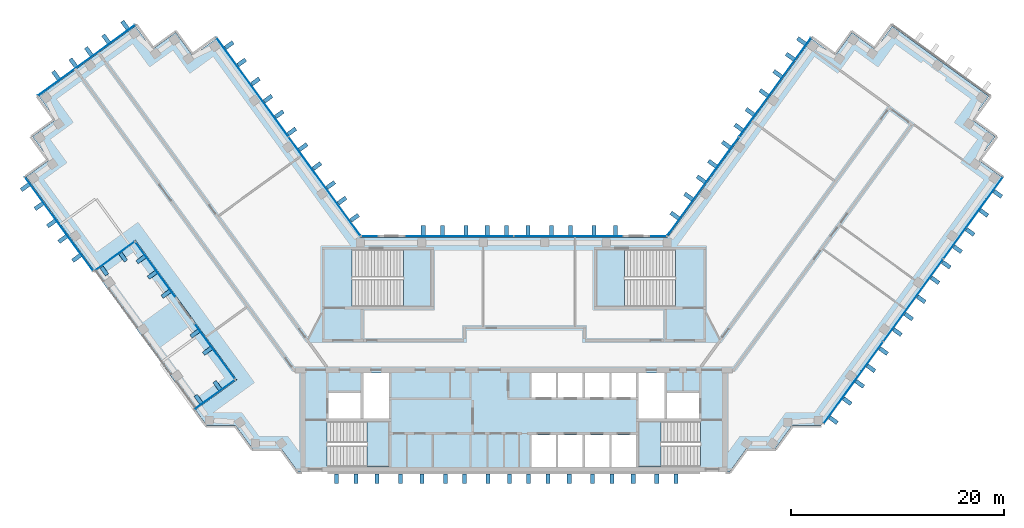
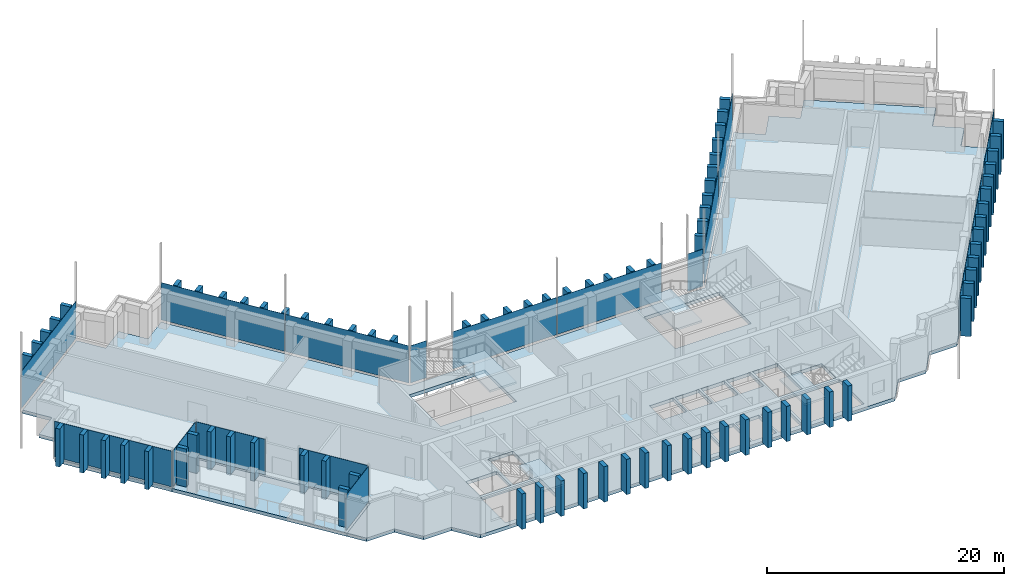
# One storey, part 6 of 15: 99 plates, 6 slabs, 16 elements without a shape of their own.
"""IFC4 building model written with IfcOpenShell, lengths in metres."""

import ifcopenshell
import ifcopenshell.guid

model = None  # the IFC model being written
_history = None  # IfcOwnerHistory: only IFC2X3 demands one
_inside = {}  # id of a spatial element -> (the spatial element, [elements in it])
_under = {}  # id of a project, library or spatial element -> (it, [spatial elements below it])
_declared = {}  # id of a project -> (the project, [libraries it declares])
_typed = {}  # id of a type object -> (the type object, [elements of that type])
_made_of = {}  # id of a material, layer set ... -> (it, [elements and type objects made of it])


def new_model(schema):
    """Start an empty IFC model of exactly this schema.

    Asked for "IFC4X3", IfcOpenShell would pick the latest addendum, in which some entities
    have other attributes; the version numbers below select the first issue.
    IFC2X3 requires an IfcOwnerHistory on every rooted entity: one is made here for all.
    """
    global model, _history
    if schema == "IFC4X3":
        model = ifcopenshell.file(schema_version=(4, 3, 0, 0))
    else:
        model = ifcopenshell.file(schema=schema)
    _inside.clear()
    _under.clear()
    _declared.clear()
    _typed.clear()
    _made_of.clear()
    _history = None
    if model.schema == "IFC2X3":
        org = make("IfcOrganization", Name="unknown")
        user = make(
            "IfcPersonAndOrganization",
            ThePerson=make("IfcPerson", FamilyName="unknown"),
            TheOrganization=org,
        )
        app = make(
            "IfcApplication",
            ApplicationDeveloper=org,
            Version="unknown",
            ApplicationFullName="unknown",
            ApplicationIdentifier="unknown",
        )
        _history = make(
            "IfcOwnerHistory",
            OwningUser=user,
            OwningApplication=app,
            ChangeAction="ADDED",
            CreationDate=0,
        )
    return model


def make(cls, **values):
    """One entity of the class cls with the attributes given. An attribute that is None is left unset."""
    return model.create_entity(
        cls, **{name: value for name, value in values.items() if value is not None}
    )


def rooted(cls, **values):
    """An entity with a GlobalId (a new one), such as an element, a storey or a relation."""
    return make(cls, GlobalId=ifcopenshell.guid.new(), OwnerHistory=_history, **values)


def si_unit(unit_type, name, prefix=None):
    """IfcSIUnit, for example si_unit("LENGTHUNIT", "METRE", prefix="MILLI")."""
    return make("IfcSIUnit", UnitType=unit_type, Prefix=prefix, Name=name)


def assignment(units):
    """IfcUnitAssignment: the units of a project."""
    return None if units is None else make("IfcUnitAssignment", Units=units)


def point(xyz):
    """IfcCartesianPoint."""
    return None if xyz is None else make("IfcCartesianPoint", Coordinates=xyz)


def direction(xyz):
    """IfcDirection."""
    return None if xyz is None else make("IfcDirection", DirectionRatios=xyz)


def frame(location, z_axis=None, x_axis=None):
    """IfcAxis2Placement3D, a coordinate frame: its origin and axes. An axis left out is left unset."""
    return make(
        "IfcAxis2Placement3D",
        Location=point(location),
        Axis=direction(z_axis),
        RefDirection=direction(x_axis),
    )


def frame_2d(location, x_axis=None):
    """IfcAxis2Placement2D, a coordinate frame in the plane: its origin and x axis."""
    return make(
        "IfcAxis2Placement2D", Location=point(location), RefDirection=direction(x_axis)
    )


def origin():
    """The frame at (0, 0, 0) with its axes left unset."""
    return frame((0.0, 0.0, 0.0))


def origin_2d():
    """The frame at (0, 0) in the plane with its x axis left unset."""
    return frame_2d((0.0, 0.0))


def place(relative_to, where):
    """IfcLocalPlacement: puts the frame where relative to a parent placement (None: the world)."""
    return make(
        "IfcLocalPlacement", PlacementRelTo=relative_to, RelativePlacement=where
    )


def context(
    kind, dimensions, precision=None, world=None, true_north=None, identifier=None
):
    """IfcGeometricRepresentationContext, for example the 3D "Model" context."""
    return make(
        "IfcGeometricRepresentationContext",
        ContextIdentifier=identifier,
        ContextType=kind,
        CoordinateSpaceDimension=dimensions,
        Precision=precision,
        WorldCoordinateSystem=world,
        TrueNorth=true_north,
    )


def subcontext(parent, identifier, kind, view, scale=None):
    """IfcGeometricRepresentationSubContext, for example "Body" below "Model"."""
    return make(
        "IfcGeometricRepresentationSubContext",
        ContextIdentifier=identifier,
        ContextType=kind,
        ParentContext=parent,
        TargetScale=scale,
        TargetView=view,
    )


def project(units=None, contexts=None):
    """IfcProject with its units and contexts."""
    return rooted(
        "IfcProject",
        Name="project",
        RepresentationContexts=contexts,
        UnitsInContext=assignment(units),
    )


def spatial(cls, under=None, at=None, **own):
    """A site, building, storey or space (cls), placed at a placement, below another one or the project."""
    s = rooted(cls, ObjectPlacement=at, **own)
    if under is not None:
        _under.setdefault(under.id(), (under, []))[1].append(s)
    return s


def polyline(points):
    """IfcPolyline through the points."""
    return make("IfcPolyline", Points=[point(p) for p in points])


def profile(cls, at=None, kind="AREA", **sizes):
    """A parametric profile (cls). Its sizes go by their IFC names, for example OverallWidth=200.0."""
    return make(cls, ProfileType=kind, Position=at, **sizes)


def rectangle(**sizes):
    """IfcRectangleProfileDef."""
    return profile("IfcRectangleProfileDef", **sizes)


def outline(outer, holes=None, kind="AREA"):
    """IfcArbitraryClosedProfileDef: a profile drawn as a closed curve; with holes, ...WithVoids."""
    if holes is None:
        return make("IfcArbitraryClosedProfileDef", ProfileType=kind, OuterCurve=outer)
    return make(
        "IfcArbitraryProfileDefWithVoids",
        ProfileType=kind,
        OuterCurve=outer,
        InnerCurves=holes,
    )


def extrude(swept, where, along, depth):
    """IfcExtrudedAreaSolid: the profile swept, set in the frame where, extruded along a direction by depth."""
    return make(
        "IfcExtrudedAreaSolid",
        SweptArea=swept,
        Position=where,
        ExtrudedDirection=direction(along),
        Depth=depth,
    )


def shape(context_of_items, identifier, shape_type, items):
    """IfcShapeRepresentation: the items that make up one representation, for example the "Body"."""
    return make(
        "IfcShapeRepresentation",
        ContextOfItems=context_of_items,
        RepresentationIdentifier=identifier,
        RepresentationType=shape_type,
        Items=items,
    )


def material(Name=None, Category=None):
    """IfcMaterial."""
    return make("IfcMaterial", Name=Name, Category=Category)


def layer(
    of_material, thickness, ventilated=None, Name=None, Category=None, Priority=None
):
    """IfcMaterialLayer: one layer of a wall or slab, of a material (None: an air gap)."""
    return make(
        "IfcMaterialLayer",
        Material=of_material,
        LayerThickness=thickness,
        IsVentilated=ventilated,
        Name=Name,
        Category=Category,
        Priority=Priority,
    )


def layer_set(layers, Name=None):
    """IfcMaterialLayerSet."""
    return make("IfcMaterialLayerSet", MaterialLayers=layers, LayerSetName=Name)


def made_of(thing, what):
    """Note that an element or type object is made of a material, layer set ...; save() writes the relation."""
    if what is not None:
        _made_of.setdefault(what.id(), (what, []))[1].append(thing)
    return thing


def type_object(cls, material=None, **own):
    """A type object (cls), such as IfcWallType, which elements share."""
    return made_of(rooted(cls, **own), material)


def element(
    cls,
    number,
    at=None,
    inside=None,
    cuts=None,
    type_object=None,
    material=None,
    context=None,
    identifier="Body",
    shape_type=None,
    held_by="IfcProductDefinitionShape",
    body=None,
    shapes=None,
    **own,
):
    """One element of the class cls, such as IfcWall. Its Tag is "e" and its number.

    at: its placement. inside: the storey or other place that contains it. cuts: it is an
    opening in that element (IfcRelVoidsElement). A single representation is given by context,
    identifier, shape_type and body (its items); several are given by shapes. held_by: the class
    of the entity that holds the representations. save() writes the other relations.
    """
    e = rooted(cls, Tag="e%d" % number, ObjectPlacement=at, **own)
    if body is not None:
        shapes = [shape(context, identifier, shape_type, body)]
    if shapes is not None:
        e.Representation = make(held_by, Representations=shapes)
    if inside is not None:
        _inside.setdefault(inside.id(), (inside, []))[1].append(e)
    if cuts is not None:
        rooted(
            "IfcRelVoidsElement", RelatingBuildingElement=cuts, RelatedOpeningElement=e
        )
    if type_object is not None:
        _typed.setdefault(type_object.id(), (type_object, []))[1].append(e)
    return made_of(e, material)


def aggregate(whole, parts):
    """IfcRelAggregates: a whole, such as a stair, and the parts it consists of."""
    return rooted("IfcRelAggregates", RelatingObject=whole, RelatedObjects=parts)


def save(model, path):
    """Write the relations noted so far, then the file.

    IfcRelAggregates (storeys below a building ...), IfcRelContainedInSpatialStructure (elements
    in a storey), IfcRelDefinesByType, IfcRelAssociatesMaterial and IfcRelDeclares: one each for
    every whole, place, type object, material and project.
    """
    for whole, parts in _under.values():
        aggregate(whole, parts)
    for where, things in _inside.values():
        rooted(
            "IfcRelContainedInSpatialStructure",
            RelatedElements=things,
            RelatingStructure=where,
        )
    for kind, things in _typed.values():
        rooted("IfcRelDefinesByType", RelatedObjects=things, RelatingType=kind)
    for what, things in _made_of.values():
        rooted("IfcRelAssociatesMaterial", RelatedObjects=things, RelatingMaterial=what)
    for by, libraries in _declared.values():
        rooted("IfcRelDeclares", RelatingContext=by, RelatedDefinitions=libraries)
    model.write(path)


model = new_model("IFC4")

# Units and contexts
model_context = context("Model", 3, precision=1e-05, world=origin(), true_north=direction((0.0, 1.0)))
body_context = subcontext(model_context, "Body", "Model", "MODEL_VIEW")
ifc_project = project(units=[si_unit("LENGTHUNIT", "METRE"), si_unit("AREAUNIT", "SQUARE_METRE"), si_unit("VOLUMEUNIT", "CUBIC_METRE"), si_unit("PLANEANGLEUNIT", "RADIAN"), si_unit("MASSUNIT", "GRAM", prefix="KILO")], contexts=[model_context])

# Site, building, storey
site_placement = place(None, origin())
site = spatial("IfcSite", under=ifc_project, at=site_placement, CompositionType="ELEMENT")
building_placement = place(site_placement, origin())
building = spatial("IfcBuilding", under=site, at=building_placement, Name="Quipu Civic Tower", CompositionType="ELEMENT")
storey_placement = place(building_placement, frame((0.0, 0.0, 160.0)))
storey = spatial("IfcBuildingStorey", under=building, at=storey_placement, Name="L37", CompositionType="ELEMENT", Elevation=160.0)

# Slab
ifc_material_1 = material(Name="Concrete C40/50", Category="concrete")
ifc_layer_1 = layer(ifc_material_1, 0.35009765625)
ifc_layer_set_1 = layer_set([ifc_layer_1], Name="Concrete C40/50")
slab_type_1 = type_object("IfcSlabType", Name="Floor slab 350 C40/50", PredefinedType="FLOOR", material=ifc_layer_set_1)
slab_1_placement = place(storey_placement, frame((0.0, 0.0, -0.35009765625)))
element("IfcSlab", 1, at=slab_1_placement, inside=storey, type_object=slab_type_1, Name="Floor slab L37", PredefinedType="FLOOR", context=body_context, shape_type="SweptSolid", body=[
    extrude(outline(polyline([(-45.114990234375, 20.445068359375), (-42.929931640625, 22.030029296875), (-44.514892578125, 24.215087890625), (-35.455078125, 30.800048828125), (-33.864990234375, 28.614990234375), (-31.68505859375, 30.199951171875), (-30.094970703125, 28.014892578125), (-27.909912109375, 29.60498046875), (-14.39501953125, 11.0), (14.39501953125, 11.0), (27.909912109375, 29.60498046875), (30.094970703125, 28.014892578125), (31.68505859375, 30.199951171875), (33.864990234375, 28.614990234375), (35.455078125, 30.800048828125), (44.514892578125, 24.215087890625), (42.929931640625, 22.030029296875), (45.114990234375, 20.445068359375), (43.52490234375, 18.260009765625), (45.7099609375, 16.669921875), (28.780029296875, -6.6298828125), (26.080078125, -6.6298828125), (24.489990234375, -8.81494140625), (21.7900390625, -8.81494140625), (20.205078125, -11.0), (-20.205078125, -11.0), (-21.7900390625, -8.81494140625), (-24.489990234375, -8.81494140625), (-26.080078125, -6.6298828125), (-28.780029296875, -6.6298828125), (-29.840087890625, -5.169921875), (-25.955078125, -2.35009765625), (-35.47998046875, 10.7548828125), (-39.360107421875, 7.93505859375), (-45.7099609375, 16.669921875), (-43.52490234375, 18.260009765625), (-45.114990234375, 20.445068359375)]), holes=[polyline([(1.64990234375, -7.5), (1.64990234375, -10.5), (3.949951171875, -10.5), (3.949951171875, -7.5), (1.64990234375, -7.5)]), polyline([(4.14990234375, -7.5), (4.14990234375, -10.5), (6.449951171875, -10.5), (6.449951171875, -7.5), (4.14990234375, -7.5)]), polyline([(-11.705078125, -6.2548828125), (-17.4951171875, -6.2548828125), (-17.4951171875, -10.4951171875), (-11.705078125, -10.4951171875), (-11.705078125, -6.2548828125)]), polyline([(-17.35009765625, -3.60009765625), (-17.35009765625, -6.0), (-14.35009765625, -6.0), (-14.35009765625, -3.60009765625), (-17.35009765625, -3.60009765625)]), polyline([(-14.10009765625, -1.699951171875), (-14.10009765625, -6.0), (-11.699951171875, -6.0), (-11.699951171875, -1.699951171875), (-14.10009765625, -1.699951171875)]), polyline([(1.64990234375, -1.699951171875), (1.64990234375, -4.0), (3.949951171875, -4.0), (3.949951171875, -1.699951171875), (1.64990234375, -1.699951171875)]), polyline([(4.14990234375, -1.699951171875), (4.14990234375, -4.0), (6.449951171875, -4.0), (6.449951171875, -1.699951171875), (4.14990234375, -1.699951171875)]), polyline([(-7.7548828125, 9.844970703125), (-15.14501953125, 9.844970703125), (-15.14501953125, 4.5048828125), (-7.7548828125, 4.5048828125), (-7.7548828125, 9.844970703125)]), polyline([(6.64990234375, -7.5), (6.64990234375, -10.5), (8.949951171875, -10.5), (8.949951171875, -7.5), (6.64990234375, -7.5)]), polyline([(9.14990234375, -7.5), (9.14990234375, -10.5), (11.449951171875, -10.5), (11.449951171875, -7.5), (9.14990234375, -7.5)]), polyline([(11.705078125, -10.4951171875), (17.4951171875, -10.4951171875), (17.4951171875, -6.2548828125), (11.705078125, -6.2548828125), (11.705078125, -10.4951171875)]), polyline([(14.35009765625, -3.60009765625), (14.35009765625, -6.0), (17.35009765625, -6.0), (17.35009765625, -3.60009765625), (14.35009765625, -3.60009765625)]), polyline([(11.699951171875, -1.699951171875), (11.699951171875, -6.0), (14.10009765625, -6.0), (14.10009765625, -1.699951171875), (11.699951171875, -1.699951171875)]), polyline([(6.64990234375, -1.699951171875), (6.64990234375, -4.0), (8.949951171875, -4.0), (8.949951171875, -1.699951171875), (6.64990234375, -1.699951171875)]), polyline([(9.14990234375, -1.699951171875), (9.14990234375, -4.0), (11.449951171875, -4.0), (11.449951171875, -1.699951171875), (9.14990234375, -1.699951171875)]), polyline([(7.7548828125, 4.5048828125), (15.14501953125, 4.5048828125), (15.14501953125, 9.844970703125), (7.7548828125, 9.844970703125), (7.7548828125, 4.5048828125)])]), origin(), (0.0, 0.0, 1.0), 0.35009765625),
])

# Curtain wall, plate
ifc_material_2 = material(Name="Insulated glass unit", Category="glass")
curtain_wall_type = type_object("IfcCurtainWallType", Name="Office curtain wall CW1", PredefinedType="NOTDEFINED", material=ifc_material_2)
curtain_wall_1_placement = place(storey_placement, origin())
curtain_wall_1 = element("IfcCurtainWall", 2, at=curtain_wall_1_placement, inside=storey, type_object=curtain_wall_type, Name="Office curtain wall CW1 L37 run 1", PredefinedType="NOTDEFINED")
ifc_material_3 = material(Name="Insulated glass unit", Category="glass")
ifc_layer_2 = layer(ifc_material_3, 0.028076171875)
ifc_layer_set_2 = layer_set([ifc_layer_2], Name="Insulated glass unit")
plate_type_1 = type_object("IfcPlateType", Name="Glass panel CW1", PredefinedType="CURTAIN_PANEL", material=ifc_layer_set_2)
plate_1_placement = place(storey_placement, frame((-42.61669921875, 12.24462890625, 0.240234375), z_axis=(0.0, 0.0, 1.0), x_axis=(0.587786762977, -0.809015896796, 0.0)))
plate_1 = element("IfcPlate", 3, at=plate_1_placement, type_object=plate_type_1, Name="CW1 panel 1.1", PredefinedType="CURTAIN_PANEL", context=body_context, shape_type="SweptSolid", body=[
    extrude(rectangle(XDim=10.83984375, YDim=0.028076171875, at=origin_2d()), origin(), (0.0, 0.0, 1.0), 3.679931640625),
])
aggregate(curtain_wall_1, [plate_1])

curtain_wall_2_placement = place(storey_placement, origin())
curtain_wall_2 = element("IfcCurtainWall", 4, at=curtain_wall_2_placement, inside=storey, type_object=curtain_wall_type, Name="Office curtain wall CW1 L37 run 2", PredefinedType="NOTDEFINED")
plate_2_placement = place(storey_placement, frame((-37.442138671875, 9.205810546875, 0.240234375), z_axis=(0.0, 0.0, 1.0), x_axis=(0.809025177291, 0.58777398931, 0.0)))
plate_2 = element("IfcPlate", 5, at=plate_2_placement, type_object=plate_type_1, Name="CW1 panel 1.1", PredefinedType="CURTAIN_PANEL", context=body_context, shape_type="SweptSolid", body=[
    extrude(rectangle(XDim=4.639892578125, YDim=0.028076171875, at=origin_2d()), origin(), (0.0, 0.0, 1.0), 3.679931640625),
])
aggregate(curtain_wall_2, [plate_2])

curtain_wall_3_placement = place(storey_placement, origin())
curtain_wall_3 = element("IfcCurtainWall", 6, at=curtain_wall_3_placement, inside=storey, type_object=curtain_wall_type, Name="Office curtain wall CW1 L37 run 3", PredefinedType="NOTDEFINED")
plate_3_placement = place(storey_placement, frame((-33.584716796875, 7.9794921875, 0.240234375), z_axis=(0.0, 0.0, 1.0), x_axis=(0.587783983369, -0.8090179163, 0.0)))
plate_3 = element("IfcPlate", 7, at=plate_3_placement, type_object=plate_type_1, Name="CW1 panel 1.1", PredefinedType="CURTAIN_PANEL", context=body_context, shape_type="SweptSolid", body=[
    extrude(rectangle(XDim=6.35888671875, YDim=0.028076171875, at=origin_2d()), origin(), (0.0, 0.0, 1.0), 3.679931640625),
])
aggregate(curtain_wall_3, [plate_3])

curtain_wall_4_placement = place(storey_placement, origin())
curtain_wall_4 = element("IfcCurtainWall", 8, at=curtain_wall_4_placement, inside=storey, type_object=curtain_wall_type, Name="Office curtain wall CW1 L37 run 5", PredefinedType="NOTDEFINED")
plate_4_placement = place(storey_placement, frame((-28.01171875, 0.308837890625, 0.240234375), z_axis=(0.0, 0.0, 1.0), x_axis=(0.587784844747, -0.809017290474, 0.0)))
plate_4 = element("IfcPlate", 9, at=plate_4_placement, type_object=plate_type_1, Name="CW1 panel 1.1", PredefinedType="CURTAIN_PANEL", context=body_context, shape_type="SweptSolid", body=[
    extrude(rectangle(XDim=6.35791015625, YDim=0.028076171875, at=origin_2d()), origin(), (0.0, 0.0, 1.0), 3.679931640625),
])
aggregate(curtain_wall_4, [plate_4])

curtain_wall_5_placement = place(storey_placement, origin())
curtain_wall_5 = element("IfcCurtainWall", 10, at=curtain_wall_5_placement, inside=storey, type_object=curtain_wall_type, Name="Office curtain wall CW1 L37 run 6", PredefinedType="NOTDEFINED")
plate_5_placement = place(storey_placement, frame((-28.03759765625, -3.73828125, 0.240234375), z_axis=(0.0, 0.0, 1.0), x_axis=(-0.809008072563, -0.587797531918, 0.0)))
plate_5 = element("IfcPlate", 11, at=plate_5_placement, type_object=plate_type_1, Name="CW1 panel 1.1", PredefinedType="CURTAIN_PANEL", context=body_context, shape_type="SweptSolid", body=[
    extrude(rectangle(XDim=4.639892578125, YDim=0.028076171875, at=origin_2d()), origin(), (0.0, 0.0, 1.0), 3.679931640625),
])
aggregate(curtain_wall_5, [plate_5])

# Curtain wall, plates
curtain_wall_6_placement = place(storey_placement, origin())
curtain_wall_6 = element("IfcCurtainWall", 12, at=curtain_wall_6_placement, inside=storey, type_object=curtain_wall_type, Name="Office curtain wall CW1 L36 run 10", PredefinedType="NOTDEFINED")
plate_6_placement = place(storey_placement, frame((-17.7421875, 15.777099609375, 0.16015625), z_axis=(0.0, 0.0, 1.0), x_axis=(-0.587788727052, 0.809014469803, 0.0)))
plate_6 = element("IfcPlate", 13, at=plate_6_placement, type_object=plate_type_1, Name="CW1 panel 1.2", PredefinedType="CURTAIN_PANEL", context=body_context, shape_type="SweptSolid", body=[
    extrude(rectangle(XDim=11.402099609375, YDim=0.028076171875, at=origin_2d()), origin(), (0.0, 0.0, 1.0), 3.840087890625),
])
plate_7_placement = place(storey_placement, frame((-24.491455078125, 25.066162109375, 0.16015625), z_axis=(0.0, 0.0, 1.0), x_axis=(-0.587788727052, 0.809014469803, 0.0)))
plate_7 = element("IfcPlate", 14, at=plate_7_placement, type_object=plate_type_1, Name="CW1 panel 2.2", PredefinedType="CURTAIN_PANEL", context=body_context, shape_type="SweptSolid", body=[
    extrude(rectangle(XDim=11.402099609375, YDim=0.028076171875, at=origin_2d()), origin(), (0.0, 0.0, 1.0), 3.840087890625),
])
aggregate(curtain_wall_6, [plate_6, plate_7])

# Curtain wall, plate
curtain_wall_7_placement = place(storey_placement, origin())
curtain_wall_7 = element("IfcCurtainWall", 15, at=curtain_wall_7_placement, inside=storey, type_object=curtain_wall_type, Name="Office curtain wall CW1 L36 run 15", PredefinedType="NOTDEFINED")
plate_8_placement = place(storey_placement, frame((-40.04345703125, 27.58740234375, 0.16015625), z_axis=(0.0, 0.0, 1.0), x_axis=(-0.809015176832, -0.587787753918, 0.0)))
plate_8 = element("IfcPlate", 16, at=plate_8_placement, type_object=plate_type_1, Name="CW1 panel 1.2", PredefinedType="CURTAIN_PANEL", context=body_context, shape_type="SweptSolid", body=[
    extrude(rectangle(XDim=11.239990234375, YDim=0.028076171875, at=origin_2d()), origin(), (0.0, 0.0, 1.0), 3.840087890625),
])
aggregate(curtain_wall_7, [plate_8])

# Curtain wall, plates
curtain_wall_8_placement = place(storey_placement, origin())
curtain_wall_8 = element("IfcCurtainWall", 17, at=curtain_wall_8_placement, inside=storey, type_object=curtain_wall_type, Name="Office curtain wall CW1 L36 run 26", PredefinedType="NOTDEFINED")
plate_9_placement = place(storey_placement, frame((31.824951171875, -2.60888671875, 0.16015625), z_axis=(0.0, 0.0, 1.0), x_axis=(0.5877856923, 0.80901667469, 0.0)))
plate_9 = element("IfcPlate", 18, at=plate_9_placement, type_object=plate_type_1, Name="CW1 panel 1.2", PredefinedType="CURTAIN_PANEL", context=body_context, shape_type="SweptSolid", body=[
    extrude(rectangle(XDim=9.43212890625, YDim=0.028076171875, at=origin_2d()), origin(), (0.0, 0.0, 1.0), 3.840087890625),
])
plate_10_placement = place(storey_placement, frame((37.427734375, 5.102783203125, 0.16015625), z_axis=(0.0, 0.0, 1.0), x_axis=(0.5877856923, 0.80901667469, 0.0)))
plate_10 = element("IfcPlate", 19, at=plate_10_placement, type_object=plate_type_1, Name="CW1 panel 2.2", PredefinedType="CURTAIN_PANEL", context=body_context, shape_type="SweptSolid", body=[
    extrude(rectangle(XDim=9.471923828125, YDim=0.028076171875, at=origin_2d()), origin(), (0.0, 0.0, 1.0), 3.840087890625),
])
plate_11_placement = place(storey_placement, frame((43.030517578125, 12.814208984375, 0.16015625), z_axis=(0.0, 0.0, 1.0), x_axis=(0.5877856923, 0.80901667469, 0.0)))
plate_11 = element("IfcPlate", 20, at=plate_11_placement, type_object=plate_type_1, Name="CW1 panel 3.2", PredefinedType="CURTAIN_PANEL", context=body_context, shape_type="SweptSolid", body=[
    extrude(rectangle(XDim=9.43212890625, YDim=0.028076171875, at=origin_2d()), origin(), (0.0, 0.0, 1.0), 3.840087890625),
])
aggregate(curtain_wall_8, [plate_9, plate_10, plate_11])

curtain_wall_9_placement = place(storey_placement, origin())
curtain_wall_9 = element("IfcCurtainWall", 21, at=curtain_wall_9_placement, inside=storey, type_object=curtain_wall_type, Name="Office curtain wall CW1 L36 run 36", PredefinedType="NOTDEFINED")
plate_12_placement = place(storey_placement, frame((24.491455078125, 25.066162109375, 0.16015625), z_axis=(0.0, 0.0, 1.0), x_axis=(-0.587788727052, -0.809014469803, 0.0)))
plate_12 = element("IfcPlate", 22, at=plate_12_placement, type_object=plate_type_1, Name="CW1 panel 1.2", PredefinedType="CURTAIN_PANEL", context=body_context, shape_type="SweptSolid", body=[
    extrude(rectangle(XDim=11.402099609375, YDim=0.028076171875, at=origin_2d()), origin(), (0.0, 0.0, 1.0), 3.840087890625),
])
plate_13_placement = place(storey_placement, frame((17.7421875, 15.777099609375, 0.16015625), z_axis=(0.0, 0.0, 1.0), x_axis=(-0.587788727052, -0.809014469803, 0.0)))
plate_13 = element("IfcPlate", 23, at=plate_13_placement, type_object=plate_type_1, Name="CW1 panel 2.2", PredefinedType="CURTAIN_PANEL", context=body_context, shape_type="SweptSolid", body=[
    extrude(rectangle(XDim=11.402099609375, YDim=0.028076171875, at=origin_2d()), origin(), (0.0, 0.0, 1.0), 3.840087890625),
])
aggregate(curtain_wall_9, [plate_12, plate_13])

# Curtain wall, plate
curtain_wall_10_placement = place(storey_placement, origin())
curtain_wall_10 = element("IfcCurtainWall", 24, at=curtain_wall_10_placement, inside=storey, type_object=curtain_wall_type, Name="Office curtain wall CW1 L36 run 37", PredefinedType="NOTDEFINED")
plate_14_placement = place(storey_placement, frame((13.49951171875, 11.10009765625, 0.16015625), z_axis=(0.0, 0.0, 1.0), x_axis=(-1.0, 0.0, 0.0)))
plate_14 = element("IfcPlate", 25, at=plate_14_placement, type_object=plate_type_1, Name="CW1 panel 1.2", PredefinedType="CURTAIN_PANEL", context=body_context, shape_type="SweptSolid", body=[
    extrude(rectangle(XDim=1.529296875, YDim=0.028076171875, at=origin_2d()), origin(), (0.0, 0.0, 1.0), 3.840087890625),
])
aggregate(curtain_wall_10, [plate_14])

# Curtain wall, plates
curtain_wall_11_placement = place(storey_placement, origin())
curtain_wall_11 = element("IfcCurtainWall", 26, at=curtain_wall_11_placement, inside=storey, type_object=curtain_wall_type, Name="Office curtain wall CW1 L36 run 39", PredefinedType="NOTDEFINED")
plate_15_placement = place(storey_placement, frame((5.11181640625, 11.10009765625, 0.16015625), z_axis=(0.0, 0.0, 1.0), x_axis=(-1.0, 0.0, 0.0)))
plate_15 = element("IfcPlate", 27, at=plate_15_placement, type_object=plate_type_1, Name="CW1 panel 1.2", PredefinedType="CURTAIN_PANEL", context=body_context, shape_type="SweptSolid", body=[
    extrude(rectangle(XDim=10.1435546875, YDim=0.028076171875, at=origin_2d()), origin(), (0.0, 0.0, 1.0), 3.840087890625),
])
plate_16_placement = place(storey_placement, frame((-5.11181640625, 11.10009765625, 0.16015625), z_axis=(0.0, 0.0, 1.0), x_axis=(-1.0, 0.0, 0.0)))
plate_16 = element("IfcPlate", 28, at=plate_16_placement, type_object=plate_type_1, Name="CW1 panel 2.2", PredefinedType="CURTAIN_PANEL", context=body_context, shape_type="SweptSolid", body=[
    extrude(rectangle(XDim=10.1435546875, YDim=0.028076171875, at=origin_2d()), origin(), (0.0, 0.0, 1.0), 3.840087890625),
])
aggregate(curtain_wall_11, [plate_15, plate_16])

# Curtain wall, plate
curtain_wall_12_placement = place(storey_placement, origin())
curtain_wall_12 = element("IfcCurtainWall", 29, at=curtain_wall_12_placement, inside=storey, type_object=curtain_wall_type, Name="Office curtain wall CW1 L36 run 41", PredefinedType="NOTDEFINED")
plate_17_placement = place(storey_placement, frame((-13.49951171875, 11.10009765625, 0.16015625), z_axis=(0.0, 0.0, 1.0), x_axis=(-1.0, 0.0, 0.0)))
plate_17 = element("IfcPlate", 30, at=plate_17_placement, type_object=plate_type_1, Name="CW1 panel 1.2", PredefinedType="CURTAIN_PANEL", context=body_context, shape_type="SweptSolid", body=[
    extrude(rectangle(XDim=1.529296875, YDim=0.028076171875, at=origin_2d()), origin(), (0.0, 0.0, 1.0), 3.840087890625),
])
aggregate(curtain_wall_12, [plate_17])

# Plates
ifc_material_4 = material(Name="Precast concrete C40/50", Category="concrete")
plate_type_2 = type_object("IfcPlateType", Name="Precast fin F2", PredefinedType="SHEET", material=ifc_material_4)
for number, where, z_axis, x_axis, name in (
    (31, (-45.80078125, 15.69140625, 0.080078125), (0.0, 0.0, 1.0), (0.587784038409, -0.809017876312, 0.0), "Precast fin F2 L37.1.1"),
    (32, (-44.507568359375, 13.91162109375, 0.080078125), (0.0, 0.0, 1.0), (0.587784038409, -0.809017876312, 0.0), "Precast fin F2 L37.1.2"),
    (33, (-43.33203125, 12.293701171875, 0.080078125), (0.0, 0.0, 1.0), (0.587784038409, -0.809017876312, 0.0), "Precast fin F2 L37.1.3"),
    (34, (-42.27392578125, 10.83740234375, 0.080078125), (0.0, 0.0, 1.0), (0.587784038409, -0.809017876312, 0.0), "Precast fin F2 L37.1.4"),
    (35, (-40.98095703125, 9.0576171875, 0.080078125), (0.0, 0.0, 1.0), (0.587784038409, -0.809017876312, 0.0), "Precast fin F2 L37.1.5"),
    (36, (-38.381103515625, 7.843994140625, 0.080078125), (0.0, 0.0, 1.0), (0.809025177291, 0.58777398931, 0.0), "Precast fin F2 L37.2.1"),
    (37, (-36.601318359375, 9.13720703125, 0.080078125), (0.0, 0.0, 1.0), (0.809025177291, 0.58777398931, 0.0), "Precast fin F2 L37.2.2"),
    (38, (-34.9521484375, 8.926025390625, 0.080078125), (0.0, 0.0, 1.0), (0.587786610933, -0.809016007263, 0.0), "Precast fin F2 L37.3.1"),
    (39, (-33.894287109375, 7.4697265625, 0.080078125), (0.0, 0.0, 1.0), (0.587786610933, -0.809016007263, 0.0), "Precast fin F2 L37.3.2"),
    (40, (-32.60107421875, 5.68994140625, 0.080078125), (0.0, 0.0, 1.0), (0.587786610933, -0.809016007263, 0.0), "Precast fin F2 L37.3.3"),
    (41, (-29.89697265625, 1.96826171875, 0.080078125), (0.0, 0.0, 1.0), (0.587786610933, -0.809016007263, 0.0), "Precast fin F2 L37.5.1"),
    (42, (-28.721435546875, 0.35009765625, 0.080078125), (0.0, 0.0, 1.0), (0.587786610933, -0.809016007263, 0.0), "Precast fin F2 L37.5.2"),
    (43, (-27.78662109375, -2.876220703125, 0.080078125), (0.0, 0.0, 1.0), (-0.809008072563, -0.587797531918, 0.0), "Precast fin F2 L37.6.1"),
    (44, (-29.56640625, -4.169189453125, 0.080078125), (0.0, 0.0, 1.0), (-0.809008072563, -0.587797531918, 0.0), "Precast fin F2 L37.6.2"),
    (45, (-14.92138671875, 12.830078125, 0.080078125), (0.0, 0.0, 1.0), (-0.587787133119, 0.809015627871, 0.0), "Precast fin F2 L37.P06.1"),
    (46, (-16.09716796875, 14.4482421875, 0.080078125), (0.0, 0.0, 1.0), (-0.587787133119, 0.809015627871, 0.0), "Precast fin F2 L37.P06.2"),
    (47, (-17.155029296875, 15.904541015625, 0.080078125), (0.0, 0.0, 1.0), (-0.587787133119, 0.809015627871, 0.0), "Precast fin F2 L37.P06.3"),
    (48, (-18.4482421875, 17.684326171875, 0.080078125), (0.0, 0.0, 1.0), (-0.587787133119, 0.809015627871, 0.0), "Precast fin F2 L37.P06.4"),
    (49, (-19.741455078125, 19.464111328125, 0.080078125), (0.0, 0.0, 1.0), (-0.587787133119, 0.809015627871, 0.0), "Precast fin F2 L37.P06.5"),
    (50, (-20.79931640625, 20.92041015625, 0.080078125), (0.0, 0.0, 1.0), (-0.587787133119, 0.809015627871, 0.0), "Precast fin F2 L37.P06.6"),
    (51, (-21.974853515625, 22.538330078125, 0.080078125), (0.0, 0.0, 1.0), (-0.587787133119, 0.809015627871, 0.0), "Precast fin F2 L37.P06.7"),
    (52, (-23.032958984375, 23.99462890625, 0.080078125), (0.0, 0.0, 1.0), (-0.587787133119, 0.809015627871, 0.0), "Precast fin F2 L37.P06.8"),
    (53, (-24.20849609375, 25.612548828125, 0.080078125), (0.0, 0.0, 1.0), (-0.587787133119, 0.809015627871, 0.0), "Precast fin F2 L37.P06.9"),
    (54, (-25.501708984375, 27.392578125, 0.080078125), (0.0, 0.0, 1.0), (-0.587787133119, 0.809015627871, 0.0), "Precast fin F2 L37.P06.10"),
    (55, (-26.67724609375, 29.010498046875, 0.080078125), (0.0, 0.0, 1.0), (-0.587787133119, 0.809015627871, 0.0), "Precast fin F2 L37.P06.11"),
    (56, (-36.434814453125, 30.88916015625, 0.080078125), (0.0, 0.0, 1.0), (-0.809017072762, -0.587785144401, 0.0), "Precast fin F2 L37.P11.1"),
    (57, (-38.21484375, 29.595947265625, 0.080078125), (0.0, 0.0, 1.0), (-0.809017072762, -0.587785144401, 0.0), "Precast fin F2 L37.P11.2"),
    (58, (-39.832763671875, 28.42041015625, 0.080078125), (0.0, 0.0, 1.0), (-0.809017072762, -0.587785144401, 0.0), "Precast fin F2 L37.P11.3"),
    (59, (-41.2890625, 27.3623046875, 0.080078125), (0.0, 0.0, 1.0), (-0.809017072762, -0.587785144401, 0.0), "Precast fin F2 L37.P11.4"),
    (60, (-42.906982421875, 26.186767578125, 0.080078125), (0.0, 0.0, 1.0), (-0.809017072762, -0.587785144401, 0.0), "Precast fin F2 L37.P11.5"),
):
    element("IfcPlate", number, at=place(storey_placement, frame(where, z_axis=z_axis, x_axis=x_axis)), inside=storey, type_object=plate_type_2, Name=name, PredefinedType="SHEET", context=body_context, shape_type="SweptSolid", body=[
        extrude(rectangle(XDim=0.3798828125, YDim=0.89990234375, at=origin_2d()), origin(), (0.0, 0.0, 1.0), 3.919921875),
    ])
for number, where, z_axis, x_axis, name in (
    (61, (-16.610107421875, -11.637939453125, 0.0), (0.0, 0.0, 1.0), (1.0, 0.0, 0.0), "Precast fin F2 L37.P17.1"),
    (62, (-14.81005859375, -11.637939453125, 0.0), (0.0, 0.0, 1.0), (1.0, 0.0, 0.0), "Precast fin F2 L37.P17.2"),
    (63, (-12.81005859375, -11.637939453125, 0.0), (0.0, 0.0, 1.0), (1.0, 0.0, 0.0), "Precast fin F2 L37.P17.3"),
    (64, (-10.610107421875, -11.637939453125, 0.0), (0.0, 0.0, 1.0), (1.0, 0.0, 0.0), "Precast fin F2 L37.P17.4"),
    (65, (-8.610107421875, -11.637939453125, 0.0), (0.0, 0.0, 1.0), (1.0, 0.0, 0.0), "Precast fin F2 L37.P17.5"),
    (66, (-6.409912109375, -11.637939453125, 0.0), (0.0, 0.0, 1.0), (1.0, 0.0, 0.0), "Precast fin F2 L37.P17.6"),
    (67, (-4.610107421875, -11.637939453125, 0.0), (0.0, 0.0, 1.0), (1.0, 0.0, 0.0), "Precast fin F2 L37.P17.7"),
    (68, (-2.409912109375, -11.637939453125, 0.0), (0.0, 0.0, 1.0), (1.0, 0.0, 0.0), "Precast fin F2 L37.P17.8"),
    (69, (-0.409912109375, -11.637939453125, 0.0), (0.0, 0.0, 1.0), (1.0, 0.0, 0.0), "Precast fin F2 L37.P17.9"),
    (70, (1.389892578125, -11.637939453125, 0.0), (0.0, 0.0, 1.0), (1.0, 0.0, 0.0), "Precast fin F2 L37.P17.10"),
    (71, (3.18994140625, -11.637939453125, 0.0), (0.0, 0.0, 1.0), (1.0, 0.0, 0.0), "Precast fin F2 L37.P17.11"),
    (72, (5.18994140625, -11.637939453125, 0.0), (0.0, 0.0, 1.0), (1.0, 0.0, 0.0), "Precast fin F2 L37.P17.12"),
    (73, (7.389892578125, -11.637939453125, 0.0), (0.0, 0.0, 1.0), (1.0, 0.0, 0.0), "Precast fin F2 L37.P17.13"),
    (74, (9.18994140625, -11.637939453125, 0.0), (0.0, 0.0, 1.0), (1.0, 0.0, 0.0), "Precast fin F2 L37.P17.14"),
    (75, (11.18994140625, -11.637939453125, 0.0), (0.0, 0.0, 1.0), (1.0, 0.0, 0.0), "Precast fin F2 L37.P17.15"),
    (76, (13.389892578125, -11.637939453125, 0.0), (0.0, 0.0, 1.0), (1.0, 0.0, 0.0), "Precast fin F2 L37.P17.16"),
    (77, (15.18994140625, -11.637939453125, 0.0), (0.0, 0.0, 1.0), (1.0, 0.0, 0.0), "Precast fin F2 L37.P17.17"),
):
    element("IfcPlate", number, at=place(storey_placement, frame(where, z_axis=z_axis, x_axis=x_axis)), inside=storey, type_object=plate_type_2, Name=name, PredefinedType="SHEET", context=body_context, shape_type="SweptSolid", body=[
        extrude(rectangle(XDim=0.3798828125, YDim=0.89990234375, at=origin_2d()), origin(), (0.0, 0.0, 1.0), 3.64990234375),
    ])
for number, where, z_axis, x_axis, name in (
    (78, (29.944091796875, -6.133056640625, 0.080078125), (0.0, 0.0, 1.0), (0.587785620359, 0.809016726959, 0.0), "Precast fin F2 L37.P23.1"),
    (79, (31.2373046875, -4.353271484375, 0.080078125), (0.0, 0.0, 1.0), (0.587785620359, 0.809016726959, 0.0), "Precast fin F2 L37.P23.2"),
    (80, (32.412841796875, -2.7353515625, 0.080078125), (0.0, 0.0, 1.0), (0.587785620359, 0.809016726959, 0.0), "Precast fin F2 L37.P23.3"),
    (81, (33.470947265625, -1.279052734375, 0.080078125), (0.0, 0.0, 1.0), (0.587785620359, 0.809016726959, 0.0), "Precast fin F2 L37.P23.4"),
    (82, (34.646484375, 0.339111328125, 0.080078125), (0.0, 0.0, 1.0), (0.587785620359, 0.809016726959, 0.0), "Precast fin F2 L37.P23.5"),
    (83, (35.939697265625, 2.118896484375, 0.080078125), (0.0, 0.0, 1.0), (0.587785620359, 0.809016726959, 0.0), "Precast fin F2 L37.P23.6"),
    (84, (36.99755859375, 3.5751953125, 0.080078125), (0.0, 0.0, 1.0), (0.587785620359, 0.809016726959, 0.0), "Precast fin F2 L37.P23.7"),
    (85, (38.173095703125, 5.193115234375, 0.080078125), (0.0, 0.0, 1.0), (0.587785620359, 0.809016726959, 0.0), "Precast fin F2 L37.P23.8"),
    (86, (39.46630859375, 6.972900390625, 0.080078125), (0.0, 0.0, 1.0), (0.587785620359, 0.809016726959, 0.0), "Precast fin F2 L37.P23.9"),
    (87, (40.5244140625, 8.42919921875, 0.080078125), (0.0, 0.0, 1.0), (0.587785620359, 0.809016726959, 0.0), "Precast fin F2 L37.P23.10"),
    (88, (41.582275390625, 9.885498046875, 0.080078125), (0.0, 0.0, 1.0), (0.587785620359, 0.809016726959, 0.0), "Precast fin F2 L37.P23.11"),
    (89, (42.7578125, 11.50341796875, 0.080078125), (0.0, 0.0, 1.0), (0.587785620359, 0.809016726959, 0.0), "Precast fin F2 L37.P23.12"),
    (90, (44.051025390625, 13.283203125, 0.080078125), (0.0, 0.0, 1.0), (0.587785620359, 0.809016726959, 0.0), "Precast fin F2 L37.P23.13"),
    (91, (45.34423828125, 15.063232421875, 0.080078125), (0.0, 0.0, 1.0), (0.587785620359, 0.809016726959, 0.0), "Precast fin F2 L37.P23.14"),
    (92, (26.95068359375, 29.386962890625, 0.080078125), (0.0, 0.0, 1.0), (-0.587787133119, -0.809015627871, 0.0), "Precast fin F2 L37.P33.1"),
    (93, (25.892578125, 27.9306640625, 0.080078125), (0.0, 0.0, 1.0), (-0.587787133119, -0.809015627871, 0.0), "Precast fin F2 L37.P33.2"),
    (94, (24.717041015625, 26.312744140625, 0.080078125), (0.0, 0.0, 1.0), (-0.587787133119, -0.809015627871, 0.0), "Precast fin F2 L37.P33.3"),
    (95, (23.424072265625, 24.53271484375, 0.080078125), (0.0, 0.0, 1.0), (-0.587787133119, -0.809015627871, 0.0), "Precast fin F2 L37.P33.4"),
    (96, (22.130859375, 22.7529296875, 0.080078125), (0.0, 0.0, 1.0), (-0.587787133119, -0.809015627871, 0.0), "Precast fin F2 L37.P33.5"),
    (97, (21.07275390625, 21.296630859375, 0.080078125), (0.0, 0.0, 1.0), (-0.587787133119, -0.809015627871, 0.0), "Precast fin F2 L37.P33.6"),
    (98, (19.897216796875, 19.6787109375, 0.080078125), (0.0, 0.0, 1.0), (-0.587787133119, -0.809015627871, 0.0), "Precast fin F2 L37.P33.7"),
    (99, (18.60400390625, 17.89892578125, 0.080078125), (0.0, 0.0, 1.0), (-0.587787133119, -0.809015627871, 0.0), "Precast fin F2 L37.P33.8"),
    (100, (17.546142578125, 16.442626953125, 0.080078125), (0.0, 0.0, 1.0), (-0.587787133119, -0.809015627871, 0.0), "Precast fin F2 L37.P33.9"),
    (101, (16.37060546875, 14.82470703125, 0.080078125), (0.0, 0.0, 1.0), (-0.587787133119, -0.809015627871, 0.0), "Precast fin F2 L37.P33.10"),
    (102, (15.077392578125, 13.044677734375, 0.080078125), (0.0, 0.0, 1.0), (-0.587787133119, -0.809015627871, 0.0), "Precast fin F2 L37.P33.11"),
    (103, (9.510009765625, 11.64990234375, 0.080078125), (0.0, 0.0, 1.0), (-1.0, 0.0, 0.0), "Precast fin F2 L37.P36.1"),
    (104, (7.510009765625, 11.64990234375, 0.080078125), (0.0, 0.0, 1.0), (-1.0, 0.0, 0.0), "Precast fin F2 L37.P36.2"),
    (105, (5.31005859375, 11.64990234375, 0.080078125), (0.0, 0.0, 1.0), (-1.0, 0.0, 0.0), "Precast fin F2 L37.P36.3"),
    (106, (3.510009765625, 11.64990234375, 0.080078125), (0.0, 0.0, 1.0), (-1.0, 0.0, 0.0), "Precast fin F2 L37.P36.4"),
    (107, (1.31005859375, 11.64990234375, 0.080078125), (0.0, 0.0, 1.0), (-1.0, 0.0, 0.0), "Precast fin F2 L37.P36.5"),
    (108, (-0.68994140625, 11.64990234375, 0.080078125), (0.0, 0.0, 1.0), (-1.0, 0.0, 0.0), "Precast fin F2 L37.P36.6"),
    (109, (-2.489990234375, 11.64990234375, 0.080078125), (0.0, 0.0, 1.0), (-1.0, 0.0, 0.0), "Precast fin F2 L37.P36.7"),
    (110, (-4.489990234375, 11.64990234375, 0.080078125), (0.0, 0.0, 1.0), (-1.0, 0.0, 0.0), "Precast fin F2 L37.P36.8"),
    (111, (-6.68994140625, 11.64990234375, 0.080078125), (0.0, 0.0, 1.0), (-1.0, 0.0, 0.0), "Precast fin F2 L37.P36.9"),
    (112, (-8.489990234375, 11.64990234375, 0.080078125), (0.0, 0.0, 1.0), (-1.0, 0.0, 0.0), "Precast fin F2 L37.P36.10"),
):
    element("IfcPlate", number, at=place(storey_placement, frame(where, z_axis=z_axis, x_axis=x_axis)), inside=storey, type_object=plate_type_2, Name=name, PredefinedType="SHEET", context=body_context, shape_type="SweptSolid", body=[
        extrude(rectangle(XDim=0.3798828125, YDim=0.89990234375, at=origin_2d()), origin(), (0.0, 0.0, 1.0), 3.919921875),
    ])

# Stair, slab
ifc_material_5 = material(Name="Concrete C40/50", Category="concrete")
stair_type_1 = type_object("IfcStairType", Name="Half turn stair 2000", PredefinedType="HALF_TURN_STAIR", material=ifc_material_5)
stair_1_placement = place(storey_placement, origin())
stair_1 = element("IfcStair", 113, at=stair_1_placement, inside=storey, type_object=stair_type_1, Name="Exit stair 1", PredefinedType="HALF_TURN_STAIR")
ifc_material_6 = material(Name="Concrete C40/50", Category="concrete")
ifc_layer_3 = layer(ifc_material_6, 0.199951171875)
ifc_layer_set_3 = layer_set([ifc_layer_3], Name="Concrete C40/50")
slab_type_2 = type_object("IfcSlabType", Name="Stair landing 200", PredefinedType="LANDING", material=ifc_layer_set_3)
slab_2_placement = place(storey_placement, frame((0.0, 0.0, 1.800048828125)))
slab_2 = element("IfcSlab", 114, at=slab_2_placement, type_object=slab_type_2, Name="ST-1 landing 1", PredefinedType="LANDING", context=body_context, shape_type="SweptSolid", body=[
    extrude(outline(polyline([(-13.780029296875, -10.5), (-11.699951171875, -10.5), (-11.699951171875, -6.25), (-13.780029296875, -6.25), (-13.780029296875, -10.5)])), origin(), (0.0, 0.0, 1.0), 0.199951171875),
])
aggregate(stair_1, [slab_2])

stair_2_placement = place(storey_placement, origin())
stair_2 = element("IfcStair", 115, at=stair_2_placement, inside=storey, type_object=stair_type_1, Name="Exit stair 2", PredefinedType="HALF_TURN_STAIR")
slab_3_placement = place(storey_placement, frame((0.0, 0.0, 1.800048828125)))
slab_3 = element("IfcSlab", 116, at=slab_3_placement, type_object=slab_type_2, Name="ST-2 landing 1", PredefinedType="LANDING", context=body_context, shape_type="SweptSolid", body=[
    extrude(outline(polyline([(13.780029296875, -6.25), (11.699951171875, -6.25), (11.699951171875, -10.5), (13.780029296875, -10.5), (13.780029296875, -6.25)])), origin(), (0.0, 0.0, 1.0), 0.199951171875),
])
aggregate(stair_2, [slab_3])

ifc_material_7 = material(Name="Concrete C40/50", Category="concrete")
stair_type_2 = type_object("IfcStairType", Name="Half turn stair 2600", PredefinedType="HALF_TURN_STAIR", material=ifc_material_7)
stair_3_placement = place(storey_placement, origin())
stair_3 = element("IfcStair", 117, at=stair_3_placement, inside=storey, type_object=stair_type_2, Name="Exit stair 3", PredefinedType="HALF_TURN_STAIR")
slab_4_placement = place(storey_placement, frame((0.0, 0.0, 1.800048828125)))
slab_4 = element("IfcSlab", 118, at=slab_4_placement, type_object=slab_type_2, Name="ST-3 landing 1", PredefinedType="LANDING", context=body_context, shape_type="SweptSolid", body=[
    extrude(outline(polyline([(-10.35009765625, 4.5), (-7.75, 4.5), (-7.75, 9.85009765625), (-10.35009765625, 9.85009765625), (-10.35009765625, 4.5)])), origin(), (0.0, 0.0, 1.0), 0.199951171875),
])
aggregate(stair_3, [slab_4])

stair_4_placement = place(storey_placement, origin())
stair_4 = element("IfcStair", 119, at=stair_4_placement, inside=storey, type_object=stair_type_2, Name="Exit stair 4", PredefinedType="HALF_TURN_STAIR")
slab_5_placement = place(storey_placement, frame((0.0, 0.0, 1.800048828125)))
slab_5 = element("IfcSlab", 120, at=slab_5_placement, type_object=slab_type_2, Name="ST-4 landing 1", PredefinedType="LANDING", context=body_context, shape_type="SweptSolid", body=[
    extrude(outline(polyline([(10.35009765625, 9.85009765625), (7.75, 9.85009765625), (7.75, 4.5), (10.35009765625, 4.5), (10.35009765625, 9.85009765625)])), origin(), (0.0, 0.0, 1.0), 0.199951171875),
])
aggregate(stair_4, [slab_5])

# Slab
ifc_material_8 = material(Name="Concrete C40/50", Category="concrete")
ifc_layer_4 = layer(ifc_material_8, 0.35009765625)
ifc_layer_set_4 = layer_set([ifc_layer_4], Name="Concrete C40/50")
slab_type_3 = type_object("IfcSlabType", Name="Terrace slab 350 C40/50", PredefinedType="FLOOR", material=ifc_layer_set_4)
slab_6_placement = place(storey_placement, frame((0.0, 0.0, -0.35009765625)))
element("IfcSlab", 121, at=slab_6_placement, inside=storey, type_object=slab_type_3, Name="Terrace slab L37", PredefinedType="FLOOR", context=body_context, shape_type="SweptSolid", body=[
    extrude(outline(polyline([(-35.47998046875, 10.7548828125), (-25.955078125, -2.35009765625), (-29.840087890625, -5.169921875), (-39.360107421875, 7.93505859375), (-35.47998046875, 10.7548828125)])), origin(), (0.0, 0.0, 1.0), 0.35009765625),
])

save(model, "model.ifc")
